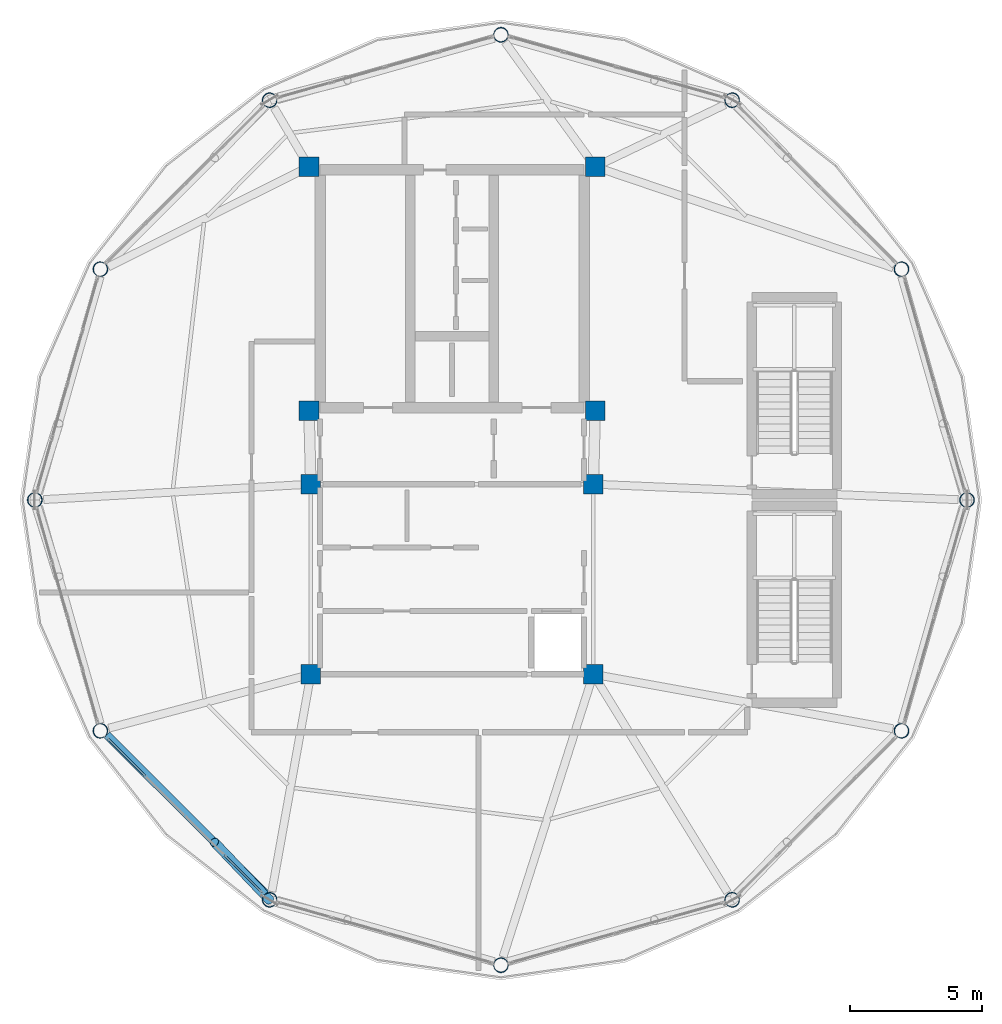
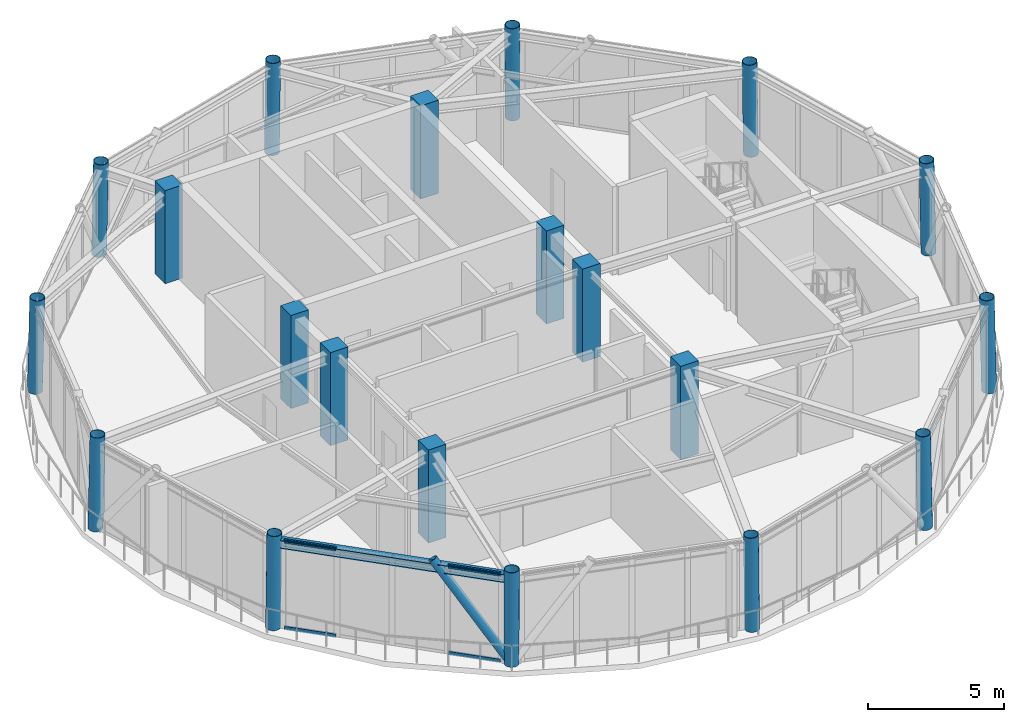
# One storey, part 1 of 21: 20 columns, 5 members, 1 beam, 1 element without a shape of its own.
"""IFC4 building model written with IfcOpenShell, lengths in metres."""

from ifc_helpers import new_model, si_unit, direction, frame, origin, origin_2d, place, context, subcontext, project, spatial, rectangle, hollow_rectangle, hollow_circle, i_section, extrude, material, layer, layer_set, material_profile, profile_set, type_object, element, aggregate, save


model = new_model("IFC4")

# Units and contexts
model_context = context("Model", 3, precision=1e-05, world=origin(), true_north=direction((0.0, 1.0)))
body_context = subcontext(model_context, "Body", "Model", "MODEL_VIEW")
ifc_project = project(units=[si_unit("LENGTHUNIT", "METRE"), si_unit("AREAUNIT", "SQUARE_METRE"), si_unit("VOLUMEUNIT", "CUBIC_METRE"), si_unit("PLANEANGLEUNIT", "RADIAN"), si_unit("MASSUNIT", "GRAM", prefix="KILO")], contexts=[model_context])

# Site, building, storey
site_placement = place(None, origin())
site = spatial("IfcSite", under=ifc_project, at=site_placement, CompositionType="ELEMENT")
building_placement = place(site_placement, origin())
building = spatial("IfcBuilding", under=site, at=building_placement, Name="Varnakorn Sky Granary", CompositionType="ELEMENT")
storey_placement = place(building_placement, frame((0.0, 0.0, 294.0)))
storey = spatial("IfcBuildingStorey", under=building, at=storey_placement, Name="L75", CompositionType="ELEMENT", Elevation=294.0)

# Columns
ifc_material_1 = material(Name="Steel S460M", Category="steel")
ifc_material_profile_1 = material_profile(ifc_material_1, hollow_circle(Radius=0.279541015625, WallThickness=0.02001953125, at=origin_2d()), Name="CHS 559x20")
ifc_profile_set_1 = profile_set([ifc_material_profile_1], Name="Steel S460M")
column_type_1 = type_object("IfcColumnType", Name="COL-DC-Z5", PredefinedType="COLUMN", material=ifc_profile_set_1)
column_1_placement = place(storey_placement, frame((22.513916015625, 0.0, 0.0), z_axis=(-0.020345474959, 0.0, 0.999793009402), x_axis=(0.0, -1.0, 0.0)))
element("IfcColumn", 1, at=column_1_placement, inside=storey, type_object=column_type_1, Name="Drum Perimeter Column DC01 L75", PredefinedType="COLUMN", context=body_context, shape_type="SweptSolid", body=[
    extrude(hollow_circle(Radius=0.279541015625, WallThickness=0.02001953125, at=origin_2d()), origin(), (0.0, 0.0, 1.0), 4.176025390625),
])
for number, where, z_axis, x_axis, name in (
    (2, (20.030517578125, 8.7470703125, 0.0), (-0.017656371849, -0.008652791502, 0.999806672178), (0.440063201343, -0.89796680274, 0.0), "Drum Perimeter Column DC02 L75"),
    (3, (13.614501953125, 15.150146484375, 0.0), (-0.010173186105, -0.014908979637, 0.999837101037), (0.826021690414, -0.56363832993, 0.0), "Drum Perimeter Column DC03 L75"),
    (4, (4.85009765625, 17.62890625, 0.0), (0.0, -0.017247887084, 0.999851244131), (1.0, 0.0, 0.0), "Drum Perimeter Column DC04 L75"),
    (5, (-3.91455078125, 15.150146484375, 0.0), (0.010173186105, -0.014908979637, 0.999837101037), (0.826021690414, 0.56363832993, 0.0), "Drum Perimeter Column DC05 L75"),
    (6, (-10.33056640625, 8.7470703125, 0.0), (0.017656371849, -0.008652791502, 0.999806672178), (0.440063201343, 0.89796680274, 0.0), "Drum Perimeter Column DC06 L75"),
):
    element("IfcColumn", number, at=place(storey_placement, frame(where, z_axis=z_axis, x_axis=x_axis)), inside=storey, type_object=column_type_1, Name=name, PredefinedType="COLUMN", context=body_context, shape_type="SweptSolid", body=[
        extrude(hollow_circle(Radius=0.279541015625, WallThickness=0.02001953125, at=origin_2d()), origin(), (0.0, 0.0, 1.0), 4.17578125),
    ])
column_2_placement = place(storey_placement, frame((-12.81396484375, 0.0, 0.0), z_axis=(0.020345474959, 0.0, 0.999793009402), x_axis=(0.0, 1.0, 0.0)))
element("IfcColumn", 7, at=column_2_placement, inside=storey, type_object=column_type_1, Name="Drum Perimeter Column DC07 L75", PredefinedType="COLUMN", context=body_context, shape_type="SweptSolid", body=[
    extrude(hollow_circle(Radius=0.279541015625, WallThickness=0.02001953125, at=origin_2d()), origin(), (0.0, 0.0, 1.0), 4.176025390625),
])
for number, where, z_axis, x_axis, name in (
    (8, (-10.33056640625, -8.7470703125, 0.0), (0.017656371849, 0.008652791502, 0.999806672178), (-0.440063201343, 0.89796680274, 0.0), "Drum Perimeter Column DC08 L75"),
    (9, (-3.91455078125, -15.150146484375, 0.0), (0.010173186105, 0.014908979637, 0.999837101037), (-0.826021690414, 0.56363832993, 0.0), "Drum Perimeter Column DC09 L75"),
    (10, (4.85009765625, -17.62890625, 0.0), (0.0, 0.017247887084, 0.999851244131), (-1.0, 0.0, 0.0), "Drum Perimeter Column DC10 L75"),
    (11, (13.614501953125, -15.150146484375, 0.0), (-0.010173186105, 0.014908979637, 0.999837101037), (-0.826021690414, -0.56363832993, 0.0), "Drum Perimeter Column DC11 L75"),
    (12, (20.030517578125, -8.7470703125, 0.0), (-0.017656371849, 0.008652791502, 0.999806672178), (-0.440063201343, -0.89796680274, 0.0), "Drum Perimeter Column DC12 L75"),
):
    element("IfcColumn", number, at=place(storey_placement, frame(where, z_axis=z_axis, x_axis=x_axis)), inside=storey, type_object=column_type_1, Name=name, PredefinedType="COLUMN", context=body_context, shape_type="SweptSolid", body=[
        extrude(hollow_circle(Radius=0.279541015625, WallThickness=0.02001953125, at=origin_2d()), origin(), (0.0, 0.0, 1.0), 4.17578125),
    ])
ifc_material_2 = material(Name="Concrete C50/60", Category="concrete")
ifc_material_profile_2 = material_profile(ifc_material_2, rectangle(XDim=0.75, YDim=0.75, at=origin_2d()), Name="RC 750x750")
ifc_profile_set_2 = profile_set([ifc_material_profile_2], Name="Concrete C50/60")
column_type_2 = type_object("IfcColumnType", Name="COL-MC-Z5", PredefinedType="COLUMN", material=ifc_profile_set_2)
for number, where, z_axis, x_axis, name in (
    (13, (-2.419921875, 12.6201171875, 0.0), (0.0, 0.0, 1.0), (1.0, 0.0, 0.0), "Backbone Mega-Column MC1 L75"),
    (14, (8.419921875, 12.6201171875, 0.0), (0.0, 0.0, 1.0), (1.0, 0.0, 0.0), "Backbone Mega-Column MC2 L75"),
    (15, (-2.419921875, 3.3798828125, 0.0), (0.0, 0.0, 1.0), (1.0, 0.0, 0.0), "Backbone Mega-Column MC3 L75"),
    (16, (8.419921875, 3.3798828125, 0.0), (0.0, 0.0, 1.0), (1.0, 0.0, 0.0), "Backbone Mega-Column MC4 L75"),
    (17, (-2.35009765625, 0.60009765625, 0.0), (0.0, 0.0, 1.0), (1.0, 0.0, 0.0), "Backbone Mega-Column MC5 L75"),
    (18, (8.35009765625, 0.60009765625, 0.0), (0.0, 0.0, 1.0), (1.0, 0.0, 0.0), "Backbone Mega-Column MC6 L75"),
    (19, (-2.35009765625, -6.60009765625, 0.0), (0.0, 0.0, 1.0), (1.0, 0.0, 0.0), "Backbone Mega-Column MC7 L75"),
    (20, (8.35009765625, -6.60009765625, 0.0), (0.0, 0.0, 1.0), (1.0, 0.0, 0.0), "Backbone Mega-Column MC8 L75"),
):
    element("IfcColumn", number, at=place(storey_placement, frame(where, z_axis=z_axis, x_axis=x_axis)), inside=storey, type_object=column_type_2, Name=name, PredefinedType="COLUMN", context=body_context, shape_type="SweptSolid", body=[
        extrude(rectangle(XDim=0.75, YDim=0.75, at=origin_2d()), origin(), (0.0, 0.0, 1.0), 4.175048828125),
    ])

# Beam
ifc_material_3 = material(Name="Steel S355JR", Category="steel")
ifc_material_profile_3 = material_profile(ifc_material_3, i_section(OverallWidth=0.300048828125, OverallDepth=0.360107421875, WebThickness=0.012451171875, FlangeThickness=0.0224609375, at=origin_2d()), Name="HE 360 B")
ifc_profile_set_3 = profile_set([ifc_material_profile_3], Name="Steel S355JR")
beam_type = type_object("IfcBeamType", Name="BM-SPD-Z5", PredefinedType="SPANDREL", material=ifc_profile_set_3)
beam_placement = place(storey_placement, frame((-10.06982421875, -8.89794921875, 3.780029296875), z_axis=(0.707566463655, -0.706646799689, 0.0), x_axis=(0.706646799689, 0.707566463655, 0.0)))
element("IfcBeam", 21, at=beam_placement, inside=storey, type_object=beam_type, Name="Perimeter Spandrel Ring Beam RB08 L75", PredefinedType="SPANDREL", context=body_context, shape_type="SweptSolid", body=[
    extrude(i_section(OverallWidth=0.300048828125, OverallDepth=0.360107421875, WebThickness=0.012451171875, FlangeThickness=0.0224609375, at=origin_2d()), origin(), (0.0, 0.0, 1.0), 8.494873046875),
])

# Curtain wall, members
ifc_material_4 = material(Name="Anodised Bronze Aluminium Alloy 6063-T6", Category="aluminium")
ifc_layer = layer(ifc_material_4, 0.22998046875, Name="Anodised Bronze Aluminium Alloy 6063-T6")
ifc_layer_set = layer_set([ifc_layer], Name="Anodised Bronze Aluminium Alloy 6063-T6")
curtain_wall_type = type_object("IfcCurtainWallType", Name="CW-LNT-1", PredefinedType="USERDEFINED", material=ifc_layer_set)
curtain_wall_placement = place(storey_placement, origin())
curtain_wall = element("IfcCurtainWall", 22, at=curtain_wall_placement, inside=storey, type_object=curtain_wall_type, Name="Unitised Curtain Wall CW7 CW-L75-B08", ObjectType="CURTAIN WALL", PredefinedType="USERDEFINED")
ifc_material_profile_4 = material_profile(ifc_material_4, hollow_rectangle(XDim=0.074951171875, YDim=0.159912109375, WallThickness=0.00390625, at=origin_2d()), Name="ALU TRAN 75x160")
ifc_profile_set_4 = profile_set([ifc_material_profile_4], Name="Anodised Bronze Aluminium Alloy 6063-T6")
member_type_1 = type_object("IfcMemberType", Name="CW-LNT-1-TRAN", PredefinedType="USERDEFINED", material=ifc_profile_set_4)
member_1_placement = place(storey_placement, frame((-4.2080078125, -14.857421875, 0.03759765625), z_axis=(-0.707783349642, 0.706429564762, 0.0), x_axis=(-0.706429564762, -0.707783349642, 0.0)))
member_1 = element("IfcMember", 23, at=member_1_placement, type_object=member_type_1, Name="CW7 transom 1.1", ObjectType="TRANSOM", PredefinedType="USERDEFINED", context=body_context, shape_type="SweptSolid", body=[
    extrude(hollow_rectangle(XDim=0.074951171875, YDim=0.159912109375, WallThickness=0.00390625, at=origin_2d()), origin(), (0.0, 0.0, 1.0), 1.983642578125),
])
member_2_placement = place(storey_placement, frame((-4.2080078125, -14.857421875, 3.922607421875), z_axis=(-0.707783349642, 0.706429564762, 0.0), x_axis=(-0.706429564762, -0.707783349642, 0.0)))
member_2 = element("IfcMember", 24, at=member_2_placement, type_object=member_type_1, Name="CW7 transom 1.2", ObjectType="TRANSOM", PredefinedType="USERDEFINED", context=body_context, shape_type="SweptSolid", body=[
    extrude(hollow_rectangle(XDim=0.074951171875, YDim=0.159912109375, WallThickness=0.00390625, at=origin_2d()), origin(), (0.0, 0.0, 1.0), 1.983642578125),
])
member_3_placement = place(storey_placement, frame((-8.633056640625, -10.441162109375, 0.03759765625), z_axis=(-0.707783349642, 0.706429564762, 0.0), x_axis=(-0.706429564762, -0.707783349642, 0.0)))
member_3 = element("IfcMember", 25, at=member_3_placement, type_object=member_type_1, Name="CW7 transom 4.1", ObjectType="TRANSOM", PredefinedType="USERDEFINED", context=body_context, shape_type="SweptSolid", body=[
    extrude(hollow_rectangle(XDim=0.074951171875, YDim=0.159912109375, WallThickness=0.00390625, at=origin_2d()), origin(), (0.0, 0.0, 1.0), 1.983642578125),
])
member_4_placement = place(storey_placement, frame((-8.633056640625, -10.441162109375, 3.922607421875), z_axis=(-0.707783349642, 0.706429564762, 0.0), x_axis=(-0.706429564762, -0.707783349642, 0.0)))
member_4 = element("IfcMember", 26, at=member_4_placement, type_object=member_type_1, Name="CW7 transom 4.2", ObjectType="TRANSOM", PredefinedType="USERDEFINED", context=body_context, shape_type="SweptSolid", body=[
    extrude(hollow_rectangle(XDim=0.074951171875, YDim=0.159912109375, WallThickness=0.00390625, at=origin_2d()), origin(), (0.0, 0.0, 1.0), 1.983642578125),
])
aggregate(curtain_wall, [member_1, member_2, member_3, member_4])

# Member
ifc_material_profile_5 = material_profile(ifc_material_1, hollow_circle(Radius=0.177734375, WallThickness=0.01416015625, at=origin_2d()), Name="CHS 355.6x14")
ifc_profile_set_5 = profile_set([ifc_material_profile_5], Name="Steel S460M")
member_type_2 = type_object("IfcMemberType", Name="MB-DIAG-T5", PredefinedType="BRACE", material=ifc_profile_set_5)
member_5_placement = place(storey_placement, frame((-3.91455078125, -15.150146484375, 0.0), z_axis=(-0.410102930209, 0.430168835023, 0.804220342946), x_axis=(-0.723786325921, -0.690024169439, 0.0)))
element("IfcMember", 27, at=member_5_placement, inside=storey, type_object=member_type_2, Name="Perimeter CHS Diagrid Brace DG08 L75", PredefinedType="BRACE", context=body_context, shape_type="SweptSolid", body=[
    extrude(hollow_circle(Radius=0.177734375, WallThickness=0.01416015625, at=origin_2d()), origin(), (0.0, 0.0, 1.0), 5.085693359375),
])

save(model, "model.ifc")
